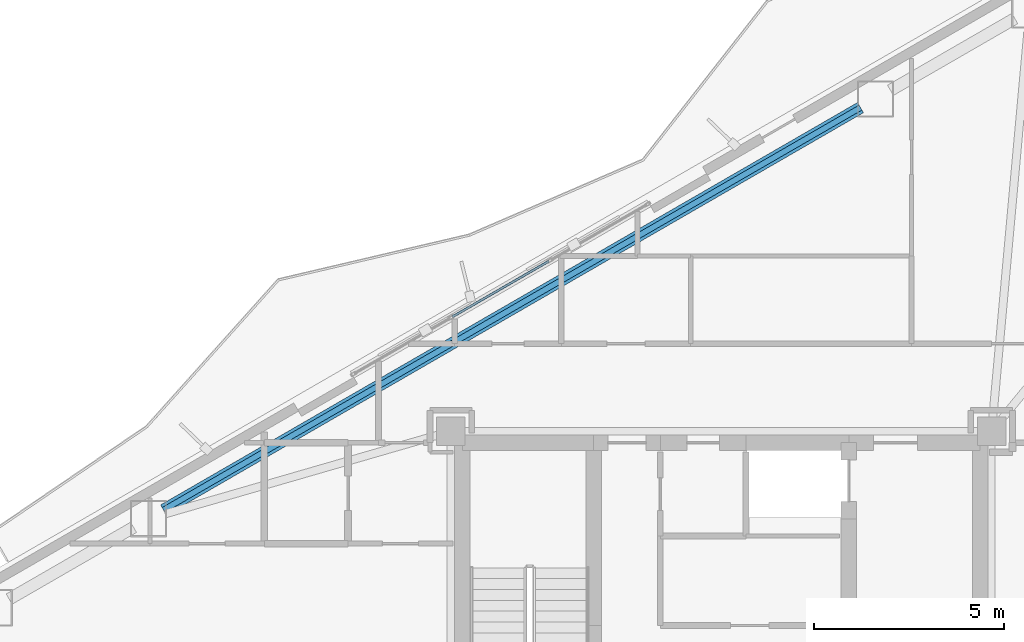
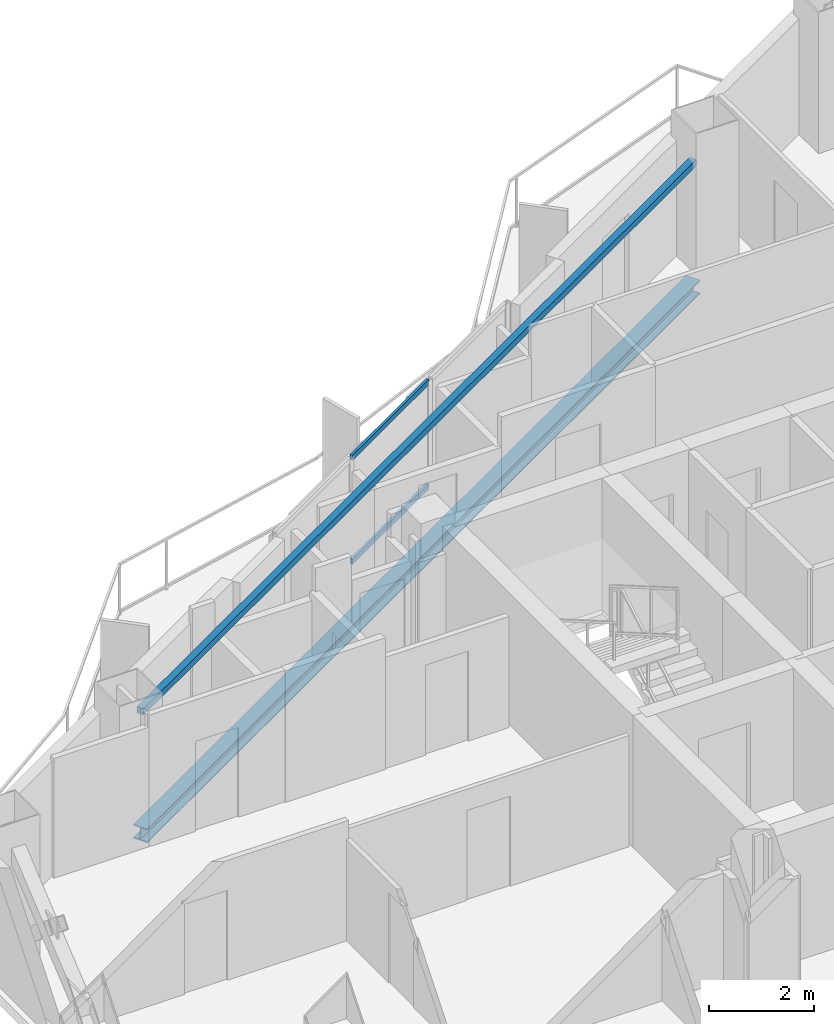
# One storey, part 9 of 22: 2 beams, 2 members, 1 element without a shape of its own.
"""IFC4 building model written with IfcOpenShell, lengths in metres."""

from ifc_helpers import new_model, si_unit, direction, frame, origin, origin_2d, place, context, subcontext, project, spatial, hollow_rectangle, i_section, extrude, material, layer, layer_set, material_profile, profile_set, type_object, element, aggregate, save


model = new_model("IFC4")

# Units and contexts
model_context = context("Model", 3, precision=1e-05, world=origin(), true_north=direction((0.0, 1.0)))
body_context = subcontext(model_context, "Body", "Model", "MODEL_VIEW")
ifc_project = project(units=[si_unit("LENGTHUNIT", "METRE"), si_unit("AREAUNIT", "SQUARE_METRE"), si_unit("VOLUMEUNIT", "CUBIC_METRE"), si_unit("PLANEANGLEUNIT", "RADIAN"), si_unit("MASSUNIT", "GRAM", prefix="KILO")], contexts=[model_context])

# Site, building, storey
site_placement = place(None, origin())
site = spatial("IfcSite", under=ifc_project, at=site_placement, CompositionType="ELEMENT")
building_placement = place(site_placement, origin())
building = spatial("IfcBuilding", under=site, at=building_placement, Name="Mersakhor Tower and Convention Hall", CompositionType="ELEMENT")
storey_placement = place(building_placement, frame((0.0, 0.0, 192.0)))
storey = spatial("IfcBuildingStorey", under=building, at=storey_placement, Name="L53", CompositionType="ELEMENT", Elevation=192.0)

# Beams
ifc_material_1 = material(Name="Steel S355", Category="steel")
ifc_material_profile_1 = material_profile(ifc_material_1, hollow_rectangle(XDim=0.14990234375, YDim=0.14990234375, WallThickness=0.010009765625, at=origin_2d()), Name="SHS 150x150x10")
ifc_profile_set_1 = profile_set([ifc_material_profile_1], Name="Steel S355")
beam_type_1 = type_object("IfcBeamType", Name="BM-GRT-SHS150", PredefinedType="USERDEFINED", material=ifc_profile_set_1)
beam_1_placement = place(storey_placement, frame((14.353759765625, 30.982421875, 2.47998046875), z_axis=(0.866028813665, 0.499994093867, 0.0), x_axis=(-0.499994093867, 0.866028813665, 0.0)))
element("IfcBeam", 1, at=beam_1_placement, inside=storey, type_object=beam_type_1, Name="L53 Facade Support Girt GRT-F1", ObjectType="GIRT", PredefinedType="USERDEFINED", context=body_context, shape_type="SweptSolid", body=[
    extrude(hollow_rectangle(XDim=0.14990234375, YDim=0.14990234375, WallThickness=0.010009765625, at=origin_2d()), origin(), (0.0, 0.0, 1.0), 21.135498046875),
])
ifc_material_2 = material(Name="Steel S355", Category="steel")
ifc_material_profile_2 = material_profile(ifc_material_2, i_section(OverallWidth=0.30908203125, OverallDepth=0.320556640625, WebThickness=0.013916015625, FlangeThickness=0.021728515625, at=origin_2d()), Name="UC 305x305x137")
ifc_profile_set_2 = profile_set([ifc_material_profile_2], Name="Steel S355")
beam_type_2 = type_object("IfcBeamType", Name="BM-SPD-UC305", PredefinedType="SPANDREL", material=ifc_profile_set_2)
beam_2_placement = place(storey_placement, frame((14.353759765625, 30.982421875, -0.39013671875), z_axis=(0.866028813665, 0.499994093867, 0.0), x_axis=(-0.499994093867, 0.866028813665, 0.0)))
element("IfcBeam", 2, at=beam_2_placement, inside=storey, type_object=beam_type_2, Name="L53 Perimeter Spandrel Beam SPB-02", PredefinedType="SPANDREL", context=body_context, shape_type="SweptSolid", body=[
    extrude(i_section(OverallWidth=0.30908203125, OverallDepth=0.320556640625, WebThickness=0.013916015625, FlangeThickness=0.021728515625, at=origin_2d()), origin(), (0.0, 0.0, 1.0), 21.135498046875),
])

# Curtain wall, members
ifc_material_3 = material(Name="Dark solar low-E aluminium curtain wall", Category="aluminium")
ifc_layer = layer(ifc_material_3, 0.169921875)
ifc_layer_set = layer_set([ifc_layer], Name="Dark solar low-E aluminium curtain wall")
curtain_wall_type = type_object("IfcCurtainWallType", Name="CW-SYS-02", PredefinedType="USERDEFINED", material=ifc_layer_set)
curtain_wall_placement = place(storey_placement, origin())
curtain_wall = element("IfcCurtainWall", 3, at=curtain_wall_placement, inside=storey, type_object=curtain_wall_type, Name="L53 Dark-Glass Curtain Wall F1-B2", ObjectType="CURTAIN WALL", PredefinedType="USERDEFINED")
ifc_material_4 = material(Name="Anodised aluminium EN AW-6063 T6", Category="aluminium")
ifc_material_profile_3 = material_profile(ifc_material_4, hollow_rectangle(XDim=0.06005859375, YDim=0.1201171875, WallThickness=0.0048828125, at=origin_2d()), Name="RHS 120x60x5")
ifc_profile_set_3 = profile_set([ifc_material_profile_3], Name="Anodised aluminium EN AW-6063 T6")
member_type = type_object("IfcMemberType", Name="CWT-120x60", PredefinedType="USERDEFINED", material=ifc_profile_set_3)
member_1_placement = place(storey_placement, frame((21.939453125, 36.0546875, 0.22998046875), z_axis=(0.866004860328, 0.500035580622, 0.0), x_axis=(-0.500035580622, 0.866004860328, 0.0)))
member_1 = element("IfcMember", 4, at=member_1_placement, type_object=member_type, Name="CW-02 transom 2.1", ObjectType="TRANSOM", PredefinedType="USERDEFINED", context=body_context, shape_type="SweptSolid", body=[
    extrude(hollow_rectangle(XDim=0.06005859375, YDim=0.1201171875, WallThickness=0.0048828125, at=origin_2d()), origin(), (0.0, 0.0, 1.0), 2.924560546875),
])
member_2_placement = place(storey_placement, frame((21.939453125, 36.0546875, 2.659912109375), z_axis=(0.866004860328, 0.500035580622, 0.0), x_axis=(-0.500035580622, 0.866004860328, 0.0)))
member_2 = element("IfcMember", 5, at=member_2_placement, type_object=member_type, Name="CW-02 transom 2.2", ObjectType="TRANSOM", PredefinedType="USERDEFINED", context=body_context, shape_type="SweptSolid", body=[
    extrude(hollow_rectangle(XDim=0.06005859375, YDim=0.1201171875, WallThickness=0.0048828125, at=origin_2d()), origin(), (0.0, 0.0, 1.0), 2.924560546875),
])
aggregate(curtain_wall, [member_1, member_2])

save(model, "model.ifc")
